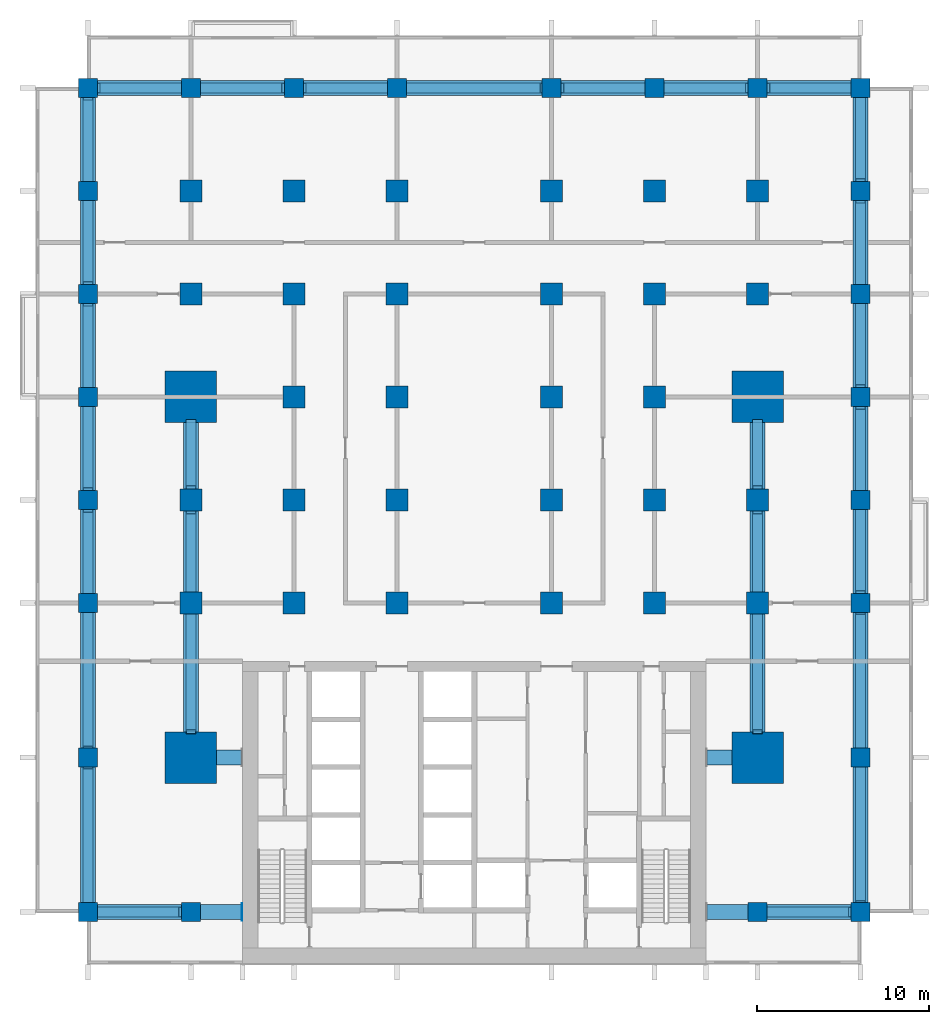
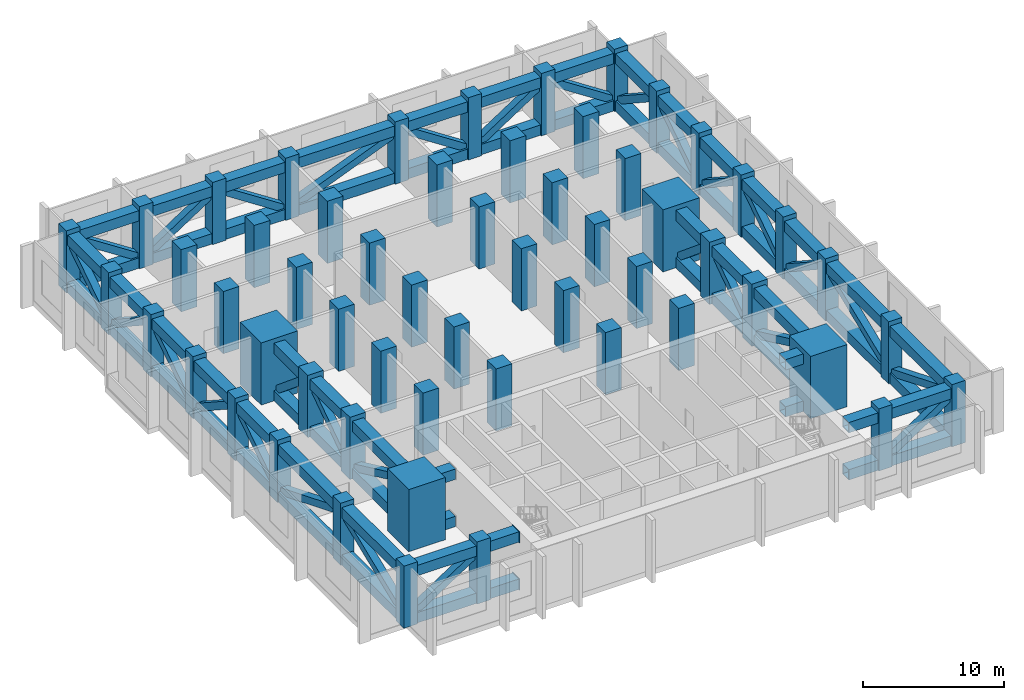
# One storey, part 1 of 13: 95 members, 56 columns, 2 plates.
"""IFC4 building model written with IfcOpenShell, lengths in metres."""

from ifc_helpers import new_model, si_unit, direction, frame, origin, origin_2d, place, context, subcontext, project, spatial, rectangle, hollow_rectangle, extrude, material, layer, layer_set, material_profile, profile_set, type_object, element, save


model = new_model("IFC4")

# Units and contexts
model_context = context("Model", 3, precision=1e-05, world=origin(), true_north=direction((0.0, 1.0)))
body_context = subcontext(model_context, "Body", "Model", "MODEL_VIEW")
ifc_project = project(units=[si_unit("LENGTHUNIT", "METRE"), si_unit("AREAUNIT", "SQUARE_METRE"), si_unit("VOLUMEUNIT", "CUBIC_METRE"), si_unit("PLANEANGLEUNIT", "RADIAN"), si_unit("MASSUNIT", "GRAM", prefix="KILO")], contexts=[model_context])

# Site, building, storey
site_placement = place(None, origin())
site = spatial("IfcSite", under=ifc_project, at=site_placement, CompositionType="ELEMENT")
building_placement = place(site_placement, origin())
building = spatial("IfcBuilding", under=site, at=building_placement, Name="Finial Court Residences", CompositionType="ELEMENT")
storey_placement = place(building_placement, frame((0.0, 0.0, 75.699951171875)))
storey = spatial("IfcBuildingStorey", under=building, at=storey_placement, Name="L18", CompositionType="ELEMENT", Elevation=75.699951171875)

# Columns
ifc_material_1 = material(Name="Concrete C80/95", Category="concrete")
ifc_material_profile_1 = material_profile(ifc_material_1, rectangle(XDim=1.300048828125, YDim=1.300048828125, at=origin_2d()), Name="1300x1300")
ifc_profile_set_1 = profile_set([ifc_material_profile_1], Name="Concrete C80/95")
column_type_1 = type_object("IfcColumnType", Name="Interior column 1300x1300 Concrete C80/95", PredefinedType="COLUMN", material=ifc_profile_set_1)
for number, where, z_axis, x_axis, name in (
    (1, (-16.5, -4.5, 0.0), (0.0, 0.0, 1.0), (1.0, 0.0, 0.0), "S:COL:L18:C4"),
    (2, (-16.5, 1.5, 0.0), (0.0, 0.0, 1.0), (1.0, 0.0, 0.0), "S:COL:L18:C5"),
    (3, (-16.5, 13.5, 0.0), (0.0, 0.0, 1.0), (1.0, 0.0, 0.0), "S:COL:L18:C7"),
    (4, (-16.5, 19.5, 0.0), (0.0, 0.0, 1.0), (1.0, 0.0, 0.0), "S:COL:L18:C8"),
    (5, (-10.5, -4.5, 0.0), (0.0, 0.0, 1.0), (1.0, 0.0, 0.0), "S:COL:L18:D4"),
    (6, (-10.5, 1.5, 0.0), (0.0, 0.0, 1.0), (1.0, 0.0, 0.0), "S:COL:L18:D5"),
    (7, (-10.5, 7.5, 0.0), (0.0, 0.0, 1.0), (1.0, 0.0, 0.0), "S:COL:L18:D6"),
    (8, (-10.5, 13.5, 0.0), (0.0, 0.0, 1.0), (1.0, 0.0, 0.0), "S:COL:L18:D7"),
    (9, (-10.5, 19.5, 0.0), (0.0, 0.0, 1.0), (1.0, 0.0, 0.0), "S:COL:L18:D8"),
    (10, (-4.5, -4.5, 0.0), (0.0, 0.0, 1.0), (1.0, 0.0, 0.0), "S:COL:L18:E4"),
    (11, (-4.5, 1.5, 0.0), (0.0, 0.0, 1.0), (1.0, 0.0, 0.0), "S:COL:L18:E5"),
    (12, (-4.5, 7.5, 0.0), (0.0, 0.0, 1.0), (1.0, 0.0, 0.0), "S:COL:L18:E6"),
    (13, (-4.5, 13.5, 0.0), (0.0, 0.0, 1.0), (1.0, 0.0, 0.0), "S:COL:L18:E7"),
    (14, (-4.5, 19.5, 0.0), (0.0, 0.0, 1.0), (1.0, 0.0, 0.0), "S:COL:L18:E8"),
    (15, (4.5, -4.5, 0.0), (0.0, 0.0, 1.0), (1.0, 0.0, 0.0), "S:COL:L18:F4"),
    (16, (4.5, 1.5, 0.0), (0.0, 0.0, 1.0), (1.0, 0.0, 0.0), "S:COL:L18:F5"),
    (17, (4.5, 7.5, 0.0), (0.0, 0.0, 1.0), (1.0, 0.0, 0.0), "S:COL:L18:F6"),
    (18, (4.5, 13.5, 0.0), (0.0, 0.0, 1.0), (1.0, 0.0, 0.0), "S:COL:L18:F7"),
    (19, (4.5, 19.5, 0.0), (0.0, 0.0, 1.0), (1.0, 0.0, 0.0), "S:COL:L18:F8"),
    (20, (10.5, -4.5, 0.0), (0.0, 0.0, 1.0), (1.0, 0.0, 0.0), "S:COL:L18:G4"),
    (21, (10.5, 1.5, 0.0), (0.0, 0.0, 1.0), (1.0, 0.0, 0.0), "S:COL:L18:G5"),
    (22, (10.5, 7.5, 0.0), (0.0, 0.0, 1.0), (1.0, 0.0, 0.0), "S:COL:L18:G6"),
    (23, (10.5, 13.5, 0.0), (0.0, 0.0, 1.0), (1.0, 0.0, 0.0), "S:COL:L18:G7"),
    (24, (10.5, 19.5, 0.0), (0.0, 0.0, 1.0), (1.0, 0.0, 0.0), "S:COL:L18:G8"),
    (25, (16.5, -4.5, 0.0), (0.0, 0.0, 1.0), (1.0, 0.0, 0.0), "S:COL:L18:H4"),
    (26, (16.5, 1.5, 0.0), (0.0, 0.0, 1.0), (1.0, 0.0, 0.0), "S:COL:L18:H5"),
    (27, (16.5, 13.5, 0.0), (0.0, 0.0, 1.0), (1.0, 0.0, 0.0), "S:COL:L18:H7"),
    (28, (16.5, 19.5, 0.0), (0.0, 0.0, 1.0), (1.0, 0.0, 0.0), "S:COL:L18:H8"),
):
    element("IfcColumn", number, at=place(storey_placement, frame(where, z_axis=z_axis, x_axis=x_axis)), inside=storey, type_object=column_type_1, Name=name, PredefinedType="COLUMN", context=body_context, shape_type="SweptSolid", body=[
        extrude(rectangle(XDim=1.300048828125, YDim=1.300048828125, at=origin_2d()), origin(), (0.0, 0.0, 1.0), 5.400146484375),
    ])
ifc_material_profile_2 = material_profile(ifc_material_1, rectangle(XDim=3.0, YDim=3.0, at=origin_2d()), Name="3000x3000")
ifc_profile_set_2 = profile_set([ifc_material_profile_2], Name="Concrete C80/95")
column_type_2 = type_object("IfcColumnType", Name="Mega column 3000x3000 Concrete C80/95", PredefinedType="COLUMN", material=ifc_profile_set_2)
for number, where, z_axis, x_axis, name in (
    (29, (-16.5, -13.5, 0.0), (0.0, 0.0, 1.0), (1.0, 0.0, 0.0), "S:COL:L18:C3"),
    (30, (-16.5, 7.5, 0.0), (0.0, 0.0, 1.0), (1.0, 0.0, 0.0), "S:COL:L18:C6"),
    (31, (16.5, -13.5, 0.0), (0.0, 0.0, 1.0), (1.0, 0.0, 0.0), "S:COL:L18:H3"),
    (32, (16.5, 7.5, 0.0), (0.0, 0.0, 1.0), (1.0, 0.0, 0.0), "S:COL:L18:H6"),
):
    element("IfcColumn", number, at=place(storey_placement, frame(where, z_axis=z_axis, x_axis=x_axis)), inside=storey, type_object=column_type_2, Name=name, PredefinedType="COLUMN", context=body_context, shape_type="SweptSolid", body=[
        extrude(rectangle(XDim=3.0, YDim=3.0, at=origin_2d()), origin(), (0.0, 0.0, 1.0), 5.400146484375),
    ])
ifc_material_profile_3 = material_profile(ifc_material_1, rectangle(XDim=1.10009765625, YDim=1.10009765625, at=origin_2d()), Name="1100x1100")
ifc_profile_set_3 = profile_set([ifc_material_profile_3], Name="Concrete C80/95")
column_type_3 = type_object("IfcColumnType", Name="Perimeter column 1100x1100 Concrete C80/95", PredefinedType="COLUMN", material=ifc_profile_set_3)
for number, where, z_axis, x_axis, name in (
    (33, (-22.5, -22.5, 0.0), (0.0, 0.0, 1.0), (1.0, 0.0, 0.0), "S:COL:L18:B2"),
    (34, (-22.5, -13.5, 0.0), (0.0, 0.0, 1.0), (1.0, 0.0, 0.0), "S:COL:L18:B3"),
    (35, (-22.5, -4.5, 0.0), (0.0, 0.0, 1.0), (1.0, 0.0, 0.0), "S:COL:L18:B4"),
    (36, (-22.5, 1.5, 0.0), (0.0, 0.0, 1.0), (1.0, 0.0, 0.0), "S:COL:L18:B5"),
    (37, (-22.5, 7.5, 0.0), (0.0, 0.0, 1.0), (1.0, 0.0, 0.0), "S:COL:L18:B6"),
    (38, (-22.5, 13.5, 0.0), (0.0, 0.0, 1.0), (1.0, 0.0, 0.0), "S:COL:L18:B7"),
    (39, (-22.5, 19.5, 0.0), (0.0, 0.0, 1.0), (1.0, 0.0, 0.0), "S:COL:L18:B8"),
    (40, (-22.5, 25.5, 0.0), (0.0, 0.0, 1.0), (1.0, 0.0, 0.0), "S:COL:L18:B9"),
    (41, (-16.5, -22.5, 0.0), (0.0, 0.0, 1.0), (1.0, 0.0, 0.0), "S:COL:L18:C2"),
    (42, (-16.5, 25.5, 0.0), (0.0, 0.0, 1.0), (1.0, 0.0, 0.0), "S:COL:L18:C9"),
    (43, (-10.5, 25.5, 0.0), (0.0, 0.0, 1.0), (1.0, 0.0, 0.0), "S:COL:L18:D9"),
    (44, (-4.5, 25.5, 0.0), (0.0, 0.0, 1.0), (1.0, 0.0, 0.0), "S:COL:L18:E9"),
    (45, (4.5, 25.5, 0.0), (0.0, 0.0, 1.0), (1.0, 0.0, 0.0), "S:COL:L18:F9"),
    (46, (10.5, 25.5, 0.0), (0.0, 0.0, 1.0), (1.0, 0.0, 0.0), "S:COL:L18:G9"),
    (47, (16.5, -22.5, 0.0), (0.0, 0.0, 1.0), (1.0, 0.0, 0.0), "S:COL:L18:H2"),
    (48, (16.5, 25.5, 0.0), (0.0, 0.0, 1.0), (1.0, 0.0, 0.0), "S:COL:L18:H9"),
    (49, (22.5, -22.5, 0.0), (0.0, 0.0, 1.0), (1.0, 0.0, 0.0), "S:COL:L18:I2"),
    (50, (22.5, -13.5, 0.0), (0.0, 0.0, 1.0), (1.0, 0.0, 0.0), "S:COL:L18:I3"),
    (51, (22.5, -4.5, 0.0), (0.0, 0.0, 1.0), (1.0, 0.0, 0.0), "S:COL:L18:I4"),
    (52, (22.5, 1.5, 0.0), (0.0, 0.0, 1.0), (1.0, 0.0, 0.0), "S:COL:L18:I5"),
    (53, (22.5, 7.5, 0.0), (0.0, 0.0, 1.0), (1.0, 0.0, 0.0), "S:COL:L18:I6"),
    (54, (22.5, 13.5, 0.0), (0.0, 0.0, 1.0), (1.0, 0.0, 0.0), "S:COL:L18:I7"),
    (55, (22.5, 19.5, 0.0), (0.0, 0.0, 1.0), (1.0, 0.0, 0.0), "S:COL:L18:I8"),
    (56, (22.5, 25.5, 0.0), (0.0, 0.0, 1.0), (1.0, 0.0, 0.0), "S:COL:L18:I9"),
):
    element("IfcColumn", number, at=place(storey_placement, frame(where, z_axis=z_axis, x_axis=x_axis)), inside=storey, type_object=column_type_3, Name=name, PredefinedType="COLUMN", context=body_context, shape_type="SweptSolid", body=[
        extrude(rectangle(XDim=1.10009765625, YDim=1.10009765625, at=origin_2d()), origin(), (0.0, 0.0, 1.0), 5.400146484375),
    ])

# Members
ifc_material_2 = material(Name="Steel ASTM A572 Gr 50", Category="steel")
ifc_material_profile_4 = material_profile(ifc_material_2, hollow_rectangle(XDim=0.89990234375, YDim=0.89990234375, WallThickness=0.050048828125, at=origin_2d()), Name="Box 900x900x50")
ifc_profile_set_4 = profile_set([ifc_material_profile_4], Name="Steel ASTM A572 Gr 50")
member_type_1 = type_object("IfcMemberType", Name="Belt truss chord Box 900x900x50", PredefinedType="CHORD", material=ifc_profile_set_4)
for number, where, z_axis, x_axis, name in (
    (57, (-13.550048828125, -22.5, 0.449951171875), (-1.0, 0.0, 0.0), (0.0, -1.0, 0.0), "S:TR:L18:01:B"),
    (58, (-13.550048828125, -22.5, 4.549072265625), (-1.0, 0.0, 0.0), (0.0, -1.0, 0.0), "S:TR:L18:01:T"),
):
    element("IfcMember", number, at=place(storey_placement, frame(where, z_axis=z_axis, x_axis=x_axis)), inside=storey, type_object=member_type_1, Name=name, PredefinedType="CHORD", context=body_context, shape_type="SweptSolid", body=[
        extrude(hollow_rectangle(XDim=0.89990234375, YDim=0.89990234375, WallThickness=0.050048828125, at=origin_2d()), origin(), (0.0, 0.0, 1.0), 2.39990234375),
    ])
for number, where, z_axis, x_axis, name in (
    (59, (-17.050048828125, -22.5, 0.449951171875), (-1.0, 0.0, 0.0), (0.0, -1.0, 0.0), "S:TR:L18:02:B"),
    (60, (-17.050048828125, -22.5, 4.549072265625), (-1.0, 0.0, 0.0), (0.0, -1.0, 0.0), "S:TR:L18:02:T"),
):
    element("IfcMember", number, at=place(storey_placement, frame(where, z_axis=z_axis, x_axis=x_axis)), inside=storey, type_object=member_type_1, Name=name, PredefinedType="CHORD", context=body_context, shape_type="SweptSolid", body=[
        extrude(hollow_rectangle(XDim=0.89990234375, YDim=0.89990234375, WallThickness=0.050048828125, at=origin_2d()), origin(), (0.0, 0.0, 1.0), 4.89990234375),
    ])
for number, where, z_axis, x_axis, name in (
    (61, (-22.5, -21.949951171875, 0.449951171875), (0.0, 1.0, 0.0), (-1.0, 0.0, 0.0), "S:TR:L18:03:B"),
    (62, (-22.5, -21.949951171875, 4.549072265625), (0.0, 1.0, 0.0), (-1.0, 0.0, 0.0), "S:TR:L18:03:T"),
    (63, (-22.5, -12.949951171875, 0.449951171875), (0.0, 1.0, 0.0), (-1.0, 0.0, 0.0), "S:TR:L18:04:B"),
    (64, (-22.5, -12.949951171875, 4.549072265625), (0.0, 1.0, 0.0), (-1.0, 0.0, 0.0), "S:TR:L18:04:T"),
):
    element("IfcMember", number, at=place(storey_placement, frame(where, z_axis=z_axis, x_axis=x_axis)), inside=storey, type_object=member_type_1, Name=name, PredefinedType="CHORD", context=body_context, shape_type="SweptSolid", body=[
        extrude(hollow_rectangle(XDim=0.89990234375, YDim=0.89990234375, WallThickness=0.050048828125, at=origin_2d()), origin(), (0.0, 0.0, 1.0), 7.89990234375),
    ])
for number, where, z_axis, x_axis, name in (
    (65, (-22.5, -3.949951171875, 0.449951171875), (0.0, 1.0, 0.0), (-1.0, 0.0, 0.0), "S:TR:L18:05:B"),
    (66, (-22.5, -3.949951171875, 4.549072265625), (0.0, 1.0, 0.0), (-1.0, 0.0, 0.0), "S:TR:L18:05:T"),
    (67, (-22.5, 2.050048828125, 0.449951171875), (0.0, 1.0, 0.0), (-1.0, 0.0, 0.0), "S:TR:L18:06:B"),
    (68, (-22.5, 2.050048828125, 4.549072265625), (0.0, 1.0, 0.0), (-1.0, 0.0, 0.0), "S:TR:L18:06:T"),
    (69, (-22.5, 8.050048828125, 0.449951171875), (0.0, 1.0, 0.0), (-1.0, 0.0, 0.0), "S:TR:L18:07:B"),
    (70, (-22.5, 8.050048828125, 4.549072265625), (0.0, 1.0, 0.0), (-1.0, 0.0, 0.0), "S:TR:L18:07:T"),
    (71, (-22.5, 14.050048828125, 0.449951171875), (0.0, 1.0, 0.0), (-1.0, 0.0, 0.0), "S:TR:L18:08:B"),
    (72, (-22.5, 14.050048828125, 4.549072265625), (0.0, 1.0, 0.0), (-1.0, 0.0, 0.0), "S:TR:L18:08:T"),
    (73, (-22.5, 20.050048828125, 0.449951171875), (0.0, 1.0, 0.0), (-1.0, 0.0, 0.0), "S:TR:L18:09:B"),
    (74, (-22.5, 20.050048828125, 4.549072265625), (0.0, 1.0, 0.0), (-1.0, 0.0, 0.0), "S:TR:L18:09:T"),
    (75, (-21.949951171875, 25.5, 0.449951171875), (1.0, 0.0, 0.0), (0.0, 1.0, 0.0), "S:TR:L18:10:B"),
    (76, (-21.949951171875, 25.5, 4.549072265625), (1.0, 0.0, 0.0), (0.0, 1.0, 0.0), "S:TR:L18:10:T"),
    (77, (-15.949951171875, 25.5, 0.449951171875), (1.0, 0.0, 0.0), (0.0, 1.0, 0.0), "S:TR:L18:11:B"),
    (78, (-15.949951171875, 25.5, 4.549072265625), (1.0, 0.0, 0.0), (0.0, 1.0, 0.0), "S:TR:L18:11:T"),
    (79, (-9.949951171875, 25.5, 0.449951171875), (1.0, 0.0, 0.0), (0.0, 1.0, 0.0), "S:TR:L18:12:B"),
    (80, (-9.949951171875, 25.5, 4.549072265625), (1.0, 0.0, 0.0), (0.0, 1.0, 0.0), "S:TR:L18:12:T"),
):
    element("IfcMember", number, at=place(storey_placement, frame(where, z_axis=z_axis, x_axis=x_axis)), inside=storey, type_object=member_type_1, Name=name, PredefinedType="CHORD", context=body_context, shape_type="SweptSolid", body=[
        extrude(hollow_rectangle(XDim=0.89990234375, YDim=0.89990234375, WallThickness=0.050048828125, at=origin_2d()), origin(), (0.0, 0.0, 1.0), 4.89990234375),
    ])
for number, where, z_axis, x_axis, name in (
    (81, (-3.949951171875, 25.5, 0.449951171875), (1.0, 0.0, 0.0), (0.0, 1.0, 0.0), "S:TR:L18:13:B"),
    (82, (-3.949951171875, 25.5, 4.549072265625), (1.0, 0.0, 0.0), (0.0, 1.0, 0.0), "S:TR:L18:13:T"),
):
    element("IfcMember", number, at=place(storey_placement, frame(where, z_axis=z_axis, x_axis=x_axis)), inside=storey, type_object=member_type_1, Name=name, PredefinedType="CHORD", context=body_context, shape_type="SweptSolid", body=[
        extrude(hollow_rectangle(XDim=0.89990234375, YDim=0.89990234375, WallThickness=0.050048828125, at=origin_2d()), origin(), (0.0, 0.0, 1.0), 7.89990234375),
    ])
for number, where, z_axis, x_axis, name in (
    (83, (5.050048828125, 25.5, 0.449951171875), (1.0, 0.0, 0.0), (0.0, 1.0, 0.0), "S:TR:L18:14:B"),
    (84, (5.050048828125, 25.5, 4.549072265625), (1.0, 0.0, 0.0), (0.0, 1.0, 0.0), "S:TR:L18:14:T"),
    (85, (11.050048828125, 25.5, 0.449951171875), (1.0, 0.0, 0.0), (0.0, 1.0, 0.0), "S:TR:L18:15:B"),
    (86, (11.050048828125, 25.5, 4.549072265625), (1.0, 0.0, 0.0), (0.0, 1.0, 0.0), "S:TR:L18:15:T"),
    (87, (17.050048828125, 25.5, 0.449951171875), (1.0, 0.0, 0.0), (0.0, 1.0, 0.0), "S:TR:L18:16:B"),
    (88, (17.050048828125, 25.5, 4.549072265625), (1.0, 0.0, 0.0), (0.0, 1.0, 0.0), "S:TR:L18:16:T"),
    (89, (22.5, 24.949951171875, 0.449951171875), (0.0, -1.0, 0.0), (1.0, 0.0, 0.0), "S:TR:L18:17:B"),
    (90, (22.5, 24.949951171875, 4.549072265625), (0.0, -1.0, 0.0), (1.0, 0.0, 0.0), "S:TR:L18:17:T"),
    (91, (22.5, 18.949951171875, 0.449951171875), (0.0, -1.0, 0.0), (1.0, 0.0, 0.0), "S:TR:L18:18:B"),
    (92, (22.5, 18.949951171875, 4.549072265625), (0.0, -1.0, 0.0), (1.0, 0.0, 0.0), "S:TR:L18:18:T"),
    (93, (22.5, 12.949951171875, 0.449951171875), (0.0, -1.0, 0.0), (1.0, 0.0, 0.0), "S:TR:L18:19:B"),
    (94, (22.5, 12.949951171875, 4.549072265625), (0.0, -1.0, 0.0), (1.0, 0.0, 0.0), "S:TR:L18:19:T"),
    (95, (22.5, 6.949951171875, 0.449951171875), (0.0, -1.0, 0.0), (1.0, 0.0, 0.0), "S:TR:L18:20:B"),
    (96, (22.5, 6.949951171875, 4.549072265625), (0.0, -1.0, 0.0), (1.0, 0.0, 0.0), "S:TR:L18:20:T"),
    (97, (22.5, 0.949951171875, 0.449951171875), (0.0, -1.0, 0.0), (1.0, 0.0, 0.0), "S:TR:L18:21:B"),
    (98, (22.5, 0.949951171875, 4.549072265625), (0.0, -1.0, 0.0), (1.0, 0.0, 0.0), "S:TR:L18:21:T"),
):
    element("IfcMember", number, at=place(storey_placement, frame(where, z_axis=z_axis, x_axis=x_axis)), inside=storey, type_object=member_type_1, Name=name, PredefinedType="CHORD", context=body_context, shape_type="SweptSolid", body=[
        extrude(hollow_rectangle(XDim=0.89990234375, YDim=0.89990234375, WallThickness=0.050048828125, at=origin_2d()), origin(), (0.0, 0.0, 1.0), 4.89990234375),
    ])
for number, where, z_axis, x_axis, name in (
    (99, (22.5, -5.050048828125, 0.449951171875), (0.0, -1.0, 0.0), (1.0, 0.0, 0.0), "S:TR:L18:22:B"),
    (100, (22.5, -5.050048828125, 4.549072265625), (0.0, -1.0, 0.0), (1.0, 0.0, 0.0), "S:TR:L18:22:T"),
    (101, (22.5, -14.050048828125, 0.449951171875), (0.0, -1.0, 0.0), (1.0, 0.0, 0.0), "S:TR:L18:23:B"),
    (102, (22.5, -14.050048828125, 4.549072265625), (0.0, -1.0, 0.0), (1.0, 0.0, 0.0), "S:TR:L18:23:T"),
):
    element("IfcMember", number, at=place(storey_placement, frame(where, z_axis=z_axis, x_axis=x_axis)), inside=storey, type_object=member_type_1, Name=name, PredefinedType="CHORD", context=body_context, shape_type="SweptSolid", body=[
        extrude(hollow_rectangle(XDim=0.89990234375, YDim=0.89990234375, WallThickness=0.050048828125, at=origin_2d()), origin(), (0.0, 0.0, 1.0), 7.89990234375),
    ])
for number, where, z_axis, x_axis, name in (
    (103, (21.949951171875, -22.5, 0.449951171875), (-1.0, 0.0, 0.0), (0.0, -1.0, 0.0), "S:TR:L18:24:B"),
    (104, (21.949951171875, -22.5, 4.549072265625), (-1.0, 0.0, 0.0), (0.0, -1.0, 0.0), "S:TR:L18:24:T"),
):
    element("IfcMember", number, at=place(storey_placement, frame(where, z_axis=z_axis, x_axis=x_axis)), inside=storey, type_object=member_type_1, Name=name, PredefinedType="CHORD", context=body_context, shape_type="SweptSolid", body=[
        extrude(hollow_rectangle(XDim=0.89990234375, YDim=0.89990234375, WallThickness=0.050048828125, at=origin_2d()), origin(), (0.0, 0.0, 1.0), 4.89990234375),
    ])
for number, where, z_axis, x_axis, name in (
    (105, (15.949951171875, -22.5, 0.449951171875), (-1.0, 0.0, 0.0), (0.0, -1.0, 0.0), "S:TR:L18:25:B"),
    (106, (15.949951171875, -22.5, 4.549072265625), (-1.0, 0.0, 0.0), (0.0, -1.0, 0.0), "S:TR:L18:25:T"),
):
    element("IfcMember", number, at=place(storey_placement, frame(where, z_axis=z_axis, x_axis=x_axis)), inside=storey, type_object=member_type_1, Name=name, PredefinedType="CHORD", context=body_context, shape_type="SweptSolid", body=[
        extrude(hollow_rectangle(XDim=0.89990234375, YDim=0.89990234375, WallThickness=0.050048828125, at=origin_2d()), origin(), (0.0, 0.0, 1.0), 2.39990234375),
    ])
ifc_material_profile_5 = material_profile(ifc_material_2, hollow_rectangle(XDim=0.60009765625, YDim=0.60009765625, WallThickness=0.0400390625, at=origin_2d()), Name="Box 600x600x40")
ifc_profile_set_5 = profile_set([ifc_material_profile_5], Name="Steel ASTM A572 Gr 50")
member_type_2 = type_object("IfcMemberType", Name="Belt truss diagonal Box 600x600x40", PredefinedType="BRACE", material=ifc_profile_set_5)
member_1_placement = place(storey_placement, frame((-17.050048828125, -22.5, 4.09912109375), z_axis=(-0.837345728904, 0.0, -0.546673696354), x_axis=(0.0, -1.0, 0.0)))
element("IfcMember", 107, at=member_1_placement, inside=storey, type_object=member_type_2, Name="S:TR:L18:02:D", PredefinedType="BRACE", context=body_context, shape_type="SweptSolid", body=[
    extrude(hollow_rectangle(XDim=0.60009765625, YDim=0.60009765625, WallThickness=0.0400390625, at=origin_2d()), origin(), (0.0, 0.0, 1.0), 5.851806640625),
])
for number, where, z_axis, x_axis, name in (
    (108, (-22.5, -21.949951171875, 0.900146484375), (0.0, 0.926889875634, 0.375333396391), (-1.0, 0.0, 0.0), "S:TR:L18:03:D"),
    (109, (-22.5, -12.949951171875, 4.09912109375), (0.0, 0.926889875634, -0.375333396391), (-1.0, 0.0, 0.0), "S:TR:L18:04:D"),
):
    element("IfcMember", number, at=place(storey_placement, frame(where, z_axis=z_axis, x_axis=x_axis)), inside=storey, type_object=member_type_2, Name=name, PredefinedType="BRACE", context=body_context, shape_type="SweptSolid", body=[
        extrude(hollow_rectangle(XDim=0.60009765625, YDim=0.60009765625, WallThickness=0.0400390625, at=origin_2d()), origin(), (0.0, 0.0, 1.0), 8.52294921875),
    ])
for number, where, z_axis, x_axis, name in (
    (110, (-22.5, -3.949951171875, 0.900146484375), (0.0, 0.837345728904, 0.546673696354), (-1.0, 0.0, 0.0), "S:TR:L18:05:D"),
    (111, (-22.5, 2.050048828125, 4.09912109375), (0.0, 0.837345728904, -0.546673696354), (-1.0, 0.0, 0.0), "S:TR:L18:06:D"),
    (112, (-22.5, 8.050048828125, 0.900146484375), (0.0, 0.837345728904, 0.546673696354), (-1.0, 0.0, 0.0), "S:TR:L18:07:D"),
    (113, (-22.5, 14.050048828125, 4.09912109375), (0.0, 0.837345728904, -0.546673696354), (-1.0, 0.0, 0.0), "S:TR:L18:08:D"),
    (114, (-22.5, 20.050048828125, 0.900146484375), (0.0, 0.837345728904, 0.546673696354), (-1.0, 0.0, 0.0), "S:TR:L18:09:D"),
    (115, (-21.949951171875, 25.5, 4.09912109375), (0.837345728904, 0.0, -0.546673696354), (0.0, 1.0, 0.0), "S:TR:L18:10:D"),
    (116, (-15.949951171875, 25.5, 0.900146484375), (0.837345728904, 0.0, 0.546673696354), (0.0, 1.0, 0.0), "S:TR:L18:11:D"),
    (117, (-9.949951171875, 25.5, 4.09912109375), (0.837345728904, 0.0, -0.546673696354), (0.0, 1.0, 0.0), "S:TR:L18:12:D"),
):
    element("IfcMember", number, at=place(storey_placement, frame(where, z_axis=z_axis, x_axis=x_axis)), inside=storey, type_object=member_type_2, Name=name, PredefinedType="BRACE", context=body_context, shape_type="SweptSolid", body=[
        extrude(hollow_rectangle(XDim=0.60009765625, YDim=0.60009765625, WallThickness=0.0400390625, at=origin_2d()), origin(), (0.0, 0.0, 1.0), 5.851806640625),
    ])
member_2_placement = place(storey_placement, frame((-3.949951171875, 25.5, 0.900146484375), z_axis=(0.926889875634, 0.0, 0.375333396391), x_axis=(0.0, 1.0, 0.0)))
element("IfcMember", 118, at=member_2_placement, inside=storey, type_object=member_type_2, Name="S:TR:L18:13:D", PredefinedType="BRACE", context=body_context, shape_type="SweptSolid", body=[
    extrude(hollow_rectangle(XDim=0.60009765625, YDim=0.60009765625, WallThickness=0.0400390625, at=origin_2d()), origin(), (0.0, 0.0, 1.0), 8.52294921875),
])
for number, where, z_axis, x_axis, name in (
    (119, (5.050048828125, 25.5, 4.09912109375), (0.837345728904, 0.0, -0.546673696354), (0.0, 1.0, 0.0), "S:TR:L18:14:D"),
    (120, (11.050048828125, 25.5, 0.900146484375), (0.837345728904, 0.0, 0.546673696354), (0.0, 1.0, 0.0), "S:TR:L18:15:D"),
    (121, (17.050048828125, 25.5, 4.09912109375), (0.837345728904, 0.0, -0.546673696354), (0.0, 1.0, 0.0), "S:TR:L18:16:D"),
    (122, (22.5, 24.949951171875, 0.900146484375), (0.0, -0.837345728904, 0.546673696354), (1.0, 0.0, 0.0), "S:TR:L18:17:D"),
    (123, (22.5, 18.949951171875, 4.09912109375), (0.0, -0.837345728904, -0.546673696354), (1.0, 0.0, 0.0), "S:TR:L18:18:D"),
    (124, (22.5, 12.949951171875, 0.900146484375), (0.0, -0.837345728904, 0.546673696354), (1.0, 0.0, 0.0), "S:TR:L18:19:D"),
    (125, (22.5, 6.949951171875, 4.09912109375), (0.0, -0.837345728904, -0.546673696354), (1.0, 0.0, 0.0), "S:TR:L18:20:D"),
    (126, (22.5, 0.949951171875, 0.900146484375), (0.0, -0.837345728904, 0.546673696354), (1.0, 0.0, 0.0), "S:TR:L18:21:D"),
):
    element("IfcMember", number, at=place(storey_placement, frame(where, z_axis=z_axis, x_axis=x_axis)), inside=storey, type_object=member_type_2, Name=name, PredefinedType="BRACE", context=body_context, shape_type="SweptSolid", body=[
        extrude(hollow_rectangle(XDim=0.60009765625, YDim=0.60009765625, WallThickness=0.0400390625, at=origin_2d()), origin(), (0.0, 0.0, 1.0), 5.851806640625),
    ])
for number, where, z_axis, x_axis, name in (
    (127, (22.5, -5.050048828125, 4.09912109375), (0.0, -0.926889875634, -0.375333396391), (1.0, 0.0, 0.0), "S:TR:L18:22:D"),
    (128, (22.5, -14.050048828125, 0.900146484375), (0.0, -0.926889875634, 0.375333396391), (1.0, 0.0, 0.0), "S:TR:L18:23:D"),
):
    element("IfcMember", number, at=place(storey_placement, frame(where, z_axis=z_axis, x_axis=x_axis)), inside=storey, type_object=member_type_2, Name=name, PredefinedType="BRACE", context=body_context, shape_type="SweptSolid", body=[
        extrude(hollow_rectangle(XDim=0.60009765625, YDim=0.60009765625, WallThickness=0.0400390625, at=origin_2d()), origin(), (0.0, 0.0, 1.0), 8.52294921875),
    ])
member_3_placement = place(storey_placement, frame((21.949951171875, -22.5, 4.09912109375), z_axis=(-0.837345728904, 0.0, -0.546673696354), x_axis=(0.0, -1.0, 0.0)))
element("IfcMember", 129, at=member_3_placement, inside=storey, type_object=member_type_2, Name="S:TR:L18:24:D", PredefinedType="BRACE", context=body_context, shape_type="SweptSolid", body=[
    extrude(hollow_rectangle(XDim=0.60009765625, YDim=0.60009765625, WallThickness=0.0400390625, at=origin_2d()), origin(), (0.0, 0.0, 1.0), 5.851806640625),
])
ifc_material_profile_6 = material_profile(ifc_material_2, hollow_rectangle(XDim=0.89990234375, YDim=0.89990234375, WallThickness=0.050048828125, at=origin_2d()), Name="Box 900x900x50")
ifc_profile_set_6 = profile_set([ifc_material_profile_6], Name="Steel ASTM A572 Gr 50")
member_type_3 = type_object("IfcMemberType", Name="Outrigger truss chord Box 900x900x50", PredefinedType="CHORD", material=ifc_profile_set_6)
for number, where, z_axis, x_axis, name in (
    (130, (-13.550048828125, -13.5, 0.449951171875), (-1.0, 0.0, 0.0), (0.0, -1.0, 0.0), "S:TR:L18:26:B"),
    (131, (-13.550048828125, -13.5, 4.549072265625), (-1.0, 0.0, 0.0), (0.0, -1.0, 0.0), "S:TR:L18:26:T"),
):
    element("IfcMember", number, at=place(storey_placement, frame(where, z_axis=z_axis, x_axis=x_axis)), inside=storey, type_object=member_type_3, Name=name, PredefinedType="CHORD", context=body_context, shape_type="SweptSolid", body=[
        extrude(hollow_rectangle(XDim=0.89990234375, YDim=0.89990234375, WallThickness=0.050048828125, at=origin_2d()), origin(), (0.0, 0.0, 1.0), 1.449951171875),
    ])
for number, where, z_axis, x_axis, name in (
    (132, (-16.5, -12.0, 0.449951171875), (0.0, 1.0, 0.0), (-1.0, 0.0, 0.0), "S:TR:L18:27:B"),
    (133, (-16.5, -12.0, 4.549072265625), (0.0, 1.0, 0.0), (-1.0, 0.0, 0.0), "S:TR:L18:27:T"),
):
    element("IfcMember", number, at=place(storey_placement, frame(where, z_axis=z_axis, x_axis=x_axis)), inside=storey, type_object=member_type_3, Name=name, PredefinedType="CHORD", context=body_context, shape_type="SweptSolid", body=[
        extrude(hollow_rectangle(XDim=0.89990234375, YDim=0.89990234375, WallThickness=0.050048828125, at=origin_2d()), origin(), (0.0, 0.0, 1.0), 6.85009765625),
    ])
for number, where, z_axis, x_axis, name in (
    (134, (-16.5, -3.85009765625, 0.449951171875), (0.0, 1.0, 0.0), (-1.0, 0.0, 0.0), "S:TR:L18:28:B"),
    (135, (-16.5, -3.85009765625, 4.549072265625), (0.0, 1.0, 0.0), (-1.0, 0.0, 0.0), "S:TR:L18:28:T"),
):
    element("IfcMember", number, at=place(storey_placement, frame(where, z_axis=z_axis, x_axis=x_axis)), inside=storey, type_object=member_type_3, Name=name, PredefinedType="CHORD", context=body_context, shape_type="SweptSolid", body=[
        extrude(hollow_rectangle(XDim=0.89990234375, YDim=0.89990234375, WallThickness=0.050048828125, at=origin_2d()), origin(), (0.0, 0.0, 1.0), 4.7001953125),
    ])
for number, where, z_axis, x_axis, name in (
    (136, (-16.5, 2.14990234375, 0.449951171875), (0.0, 1.0, 0.0), (-1.0, 0.0, 0.0), "S:TR:L18:29:B"),
    (137, (-16.5, 2.14990234375, 4.549072265625), (0.0, 1.0, 0.0), (-1.0, 0.0, 0.0), "S:TR:L18:29:T"),
):
    element("IfcMember", number, at=place(storey_placement, frame(where, z_axis=z_axis, x_axis=x_axis)), inside=storey, type_object=member_type_3, Name=name, PredefinedType="CHORD", context=body_context, shape_type="SweptSolid", body=[
        extrude(hollow_rectangle(XDim=0.89990234375, YDim=0.89990234375, WallThickness=0.050048828125, at=origin_2d()), origin(), (0.0, 0.0, 1.0), 3.85009765625),
    ])
for number, where, z_axis, x_axis, name in (
    (138, (13.550048828125, -13.5, 0.449951171875), (1.0, 0.0, 0.0), (0.0, 1.0, 0.0), "S:TR:L18:30:B"),
    (139, (13.550048828125, -13.5, 4.549072265625), (1.0, 0.0, 0.0), (0.0, 1.0, 0.0), "S:TR:L18:30:T"),
):
    element("IfcMember", number, at=place(storey_placement, frame(where, z_axis=z_axis, x_axis=x_axis)), inside=storey, type_object=member_type_3, Name=name, PredefinedType="CHORD", context=body_context, shape_type="SweptSolid", body=[
        extrude(hollow_rectangle(XDim=0.89990234375, YDim=0.89990234375, WallThickness=0.050048828125, at=origin_2d()), origin(), (0.0, 0.0, 1.0), 1.449951171875),
    ])
for number, where, z_axis, x_axis, name in (
    (140, (16.5, -12.0, 0.449951171875), (0.0, 1.0, 0.0), (-1.0, 0.0, 0.0), "S:TR:L18:31:B"),
    (141, (16.5, -12.0, 4.549072265625), (0.0, 1.0, 0.0), (-1.0, 0.0, 0.0), "S:TR:L18:31:T"),
):
    element("IfcMember", number, at=place(storey_placement, frame(where, z_axis=z_axis, x_axis=x_axis)), inside=storey, type_object=member_type_3, Name=name, PredefinedType="CHORD", context=body_context, shape_type="SweptSolid", body=[
        extrude(hollow_rectangle(XDim=0.89990234375, YDim=0.89990234375, WallThickness=0.050048828125, at=origin_2d()), origin(), (0.0, 0.0, 1.0), 6.85009765625),
    ])
for number, where, z_axis, x_axis, name in (
    (142, (16.5, -3.85009765625, 0.449951171875), (0.0, 1.0, 0.0), (-1.0, 0.0, 0.0), "S:TR:L18:32:B"),
    (143, (16.5, -3.85009765625, 4.549072265625), (0.0, 1.0, 0.0), (-1.0, 0.0, 0.0), "S:TR:L18:32:T"),
):
    element("IfcMember", number, at=place(storey_placement, frame(where, z_axis=z_axis, x_axis=x_axis)), inside=storey, type_object=member_type_3, Name=name, PredefinedType="CHORD", context=body_context, shape_type="SweptSolid", body=[
        extrude(hollow_rectangle(XDim=0.89990234375, YDim=0.89990234375, WallThickness=0.050048828125, at=origin_2d()), origin(), (0.0, 0.0, 1.0), 4.7001953125),
    ])
for number, where, z_axis, x_axis, name in (
    (144, (16.5, 2.14990234375, 0.449951171875), (0.0, 1.0, 0.0), (-1.0, 0.0, 0.0), "S:TR:L18:33:B"),
    (145, (16.5, 2.14990234375, 4.549072265625), (0.0, 1.0, 0.0), (-1.0, 0.0, 0.0), "S:TR:L18:33:T"),
):
    element("IfcMember", number, at=place(storey_placement, frame(where, z_axis=z_axis, x_axis=x_axis)), inside=storey, type_object=member_type_3, Name=name, PredefinedType="CHORD", context=body_context, shape_type="SweptSolid", body=[
        extrude(hollow_rectangle(XDim=0.89990234375, YDim=0.89990234375, WallThickness=0.050048828125, at=origin_2d()), origin(), (0.0, 0.0, 1.0), 3.85009765625),
    ])
ifc_material_profile_7 = material_profile(ifc_material_2, hollow_rectangle(XDim=0.60009765625, YDim=0.60009765625, WallThickness=0.0400390625, at=origin_2d()), Name="Box 600x600x40")
ifc_profile_set_7 = profile_set([ifc_material_profile_7], Name="Steel ASTM A572 Gr 50")
member_type_4 = type_object("IfcMemberType", Name="Outrigger truss diagonal Box 600x600x40", PredefinedType="BRACE", material=ifc_profile_set_7)
member_4_placement = place(storey_placement, frame((-16.5, -12.0, 4.09912109375), z_axis=(0.0, 0.906068432254, -0.423131180691), x_axis=(-1.0, 0.0, 0.0)))
element("IfcMember", 146, at=member_4_placement, inside=storey, type_object=member_type_4, Name="S:TR:L18:27:D", PredefinedType="BRACE", context=body_context, shape_type="SweptSolid", body=[
    extrude(hollow_rectangle(XDim=0.60009765625, YDim=0.60009765625, WallThickness=0.0400390625, at=origin_2d()), origin(), (0.0, 0.0, 1.0), 7.560302734375),
])
member_5_placement = place(storey_placement, frame((-16.5, -3.85009765625, 0.900146484375), z_axis=(0.0, 0.826694016167, 0.562651760536), x_axis=(-1.0, 0.0, 0.0)))
element("IfcMember", 147, at=member_5_placement, inside=storey, type_object=member_type_4, Name="S:TR:L18:28:D", PredefinedType="BRACE", context=body_context, shape_type="SweptSolid", body=[
    extrude(hollow_rectangle(XDim=0.60009765625, YDim=0.60009765625, WallThickness=0.0400390625, at=origin_2d()), origin(), (0.0, 0.0, 1.0), 5.685546875),
])
member_6_placement = place(storey_placement, frame((-16.5, 2.14990234375, 4.09912109375), z_axis=(0.0, 0.769147957208, -0.639070747197), x_axis=(-1.0, 0.0, 0.0)))
element("IfcMember", 148, at=member_6_placement, inside=storey, type_object=member_type_4, Name="S:TR:L18:29:D", PredefinedType="BRACE", context=body_context, shape_type="SweptSolid", body=[
    extrude(hollow_rectangle(XDim=0.60009765625, YDim=0.60009765625, WallThickness=0.0400390625, at=origin_2d()), origin(), (0.0, 0.0, 1.0), 5.005615234375),
])
member_7_placement = place(storey_placement, frame((16.5, -12.0, 4.09912109375), z_axis=(0.0, 0.906068432254, -0.423131180691), x_axis=(-1.0, 0.0, 0.0)))
element("IfcMember", 149, at=member_7_placement, inside=storey, type_object=member_type_4, Name="S:TR:L18:31:D", PredefinedType="BRACE", context=body_context, shape_type="SweptSolid", body=[
    extrude(hollow_rectangle(XDim=0.60009765625, YDim=0.60009765625, WallThickness=0.0400390625, at=origin_2d()), origin(), (0.0, 0.0, 1.0), 7.560302734375),
])
member_8_placement = place(storey_placement, frame((16.5, -3.85009765625, 0.900146484375), z_axis=(0.0, 0.826694016167, 0.562651760536), x_axis=(-1.0, 0.0, 0.0)))
element("IfcMember", 150, at=member_8_placement, inside=storey, type_object=member_type_4, Name="S:TR:L18:32:D", PredefinedType="BRACE", context=body_context, shape_type="SweptSolid", body=[
    extrude(hollow_rectangle(XDim=0.60009765625, YDim=0.60009765625, WallThickness=0.0400390625, at=origin_2d()), origin(), (0.0, 0.0, 1.0), 5.685546875),
])
member_9_placement = place(storey_placement, frame((16.5, 2.14990234375, 4.09912109375), z_axis=(0.0, 0.769147957208, -0.639070747197), x_axis=(-1.0, 0.0, 0.0)))
element("IfcMember", 151, at=member_9_placement, inside=storey, type_object=member_type_4, Name="S:TR:L18:33:D", PredefinedType="BRACE", context=body_context, shape_type="SweptSolid", body=[
    extrude(hollow_rectangle(XDim=0.60009765625, YDim=0.60009765625, WallThickness=0.0400390625, at=origin_2d()), origin(), (0.0, 0.0, 1.0), 5.005615234375),
])

# Plates
ifc_layer = layer(ifc_material_2, 0.050048828125)
ifc_layer_set = layer_set([ifc_layer], Name="Cast-in plate 50")
plate_type = type_object("IfcPlateType", Name="Cast-in plate 50", PredefinedType="USERDEFINED", material=ifc_layer_set)
for number, where, z_axis, x_axis, name in (
    (152, (-13.52490234375, -22.5, -0.050048828125), (0.0, 0.0, 1.0), (1.0, 0.0, 0.0), "S:TR:L18:01:CP0B"),
    (153, (-13.52490234375, -22.5, 4.049072265625), (0.0, 0.0, 1.0), (1.0, 0.0, 0.0), "S:TR:L18:01:CP0T"),
):
    element("IfcPlate", number, at=place(storey_placement, frame(where, z_axis=z_axis, x_axis=x_axis)), inside=storey, type_object=plate_type, Name=name, ObjectType="Cast-in plate", PredefinedType="USERDEFINED", context=body_context, shape_type="SweptSolid", body=[
        extrude(rectangle(XDim=0.050048828125, YDim=1.0, at=origin_2d()), origin(), (0.0, 0.0, 1.0), 1.0),
    ])

save(model, "model.ifc")
